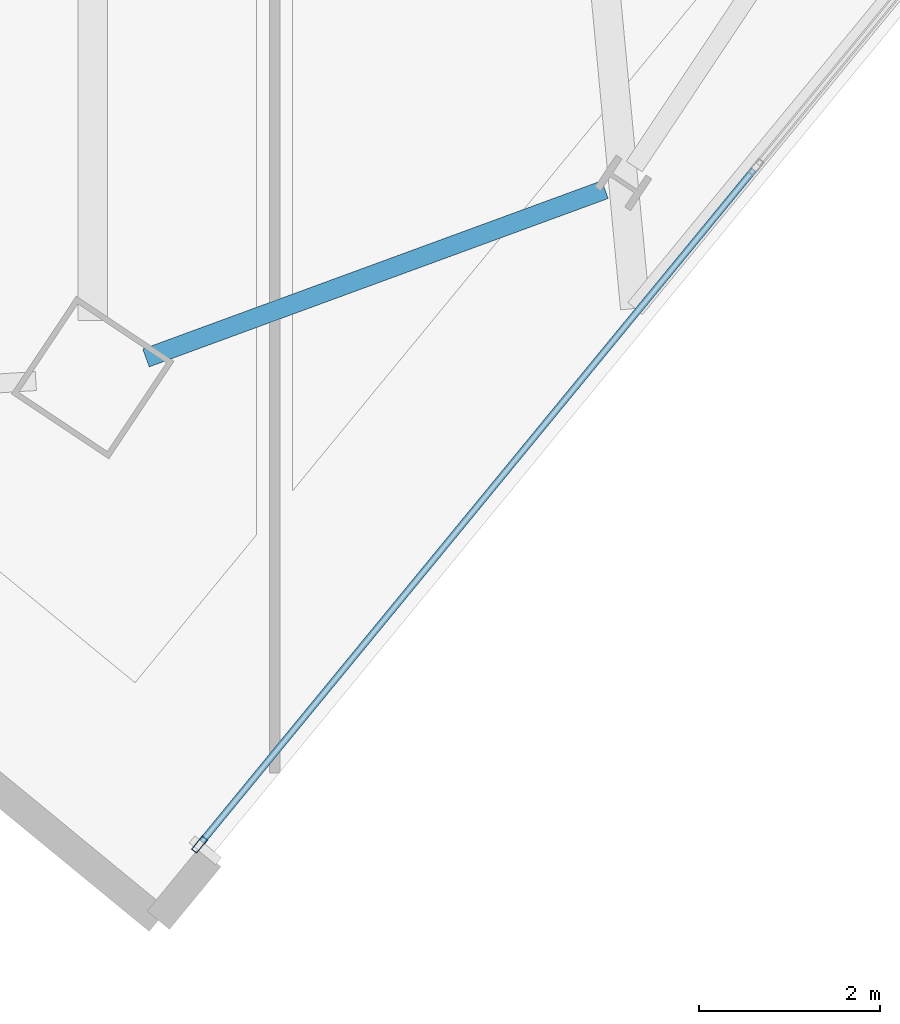
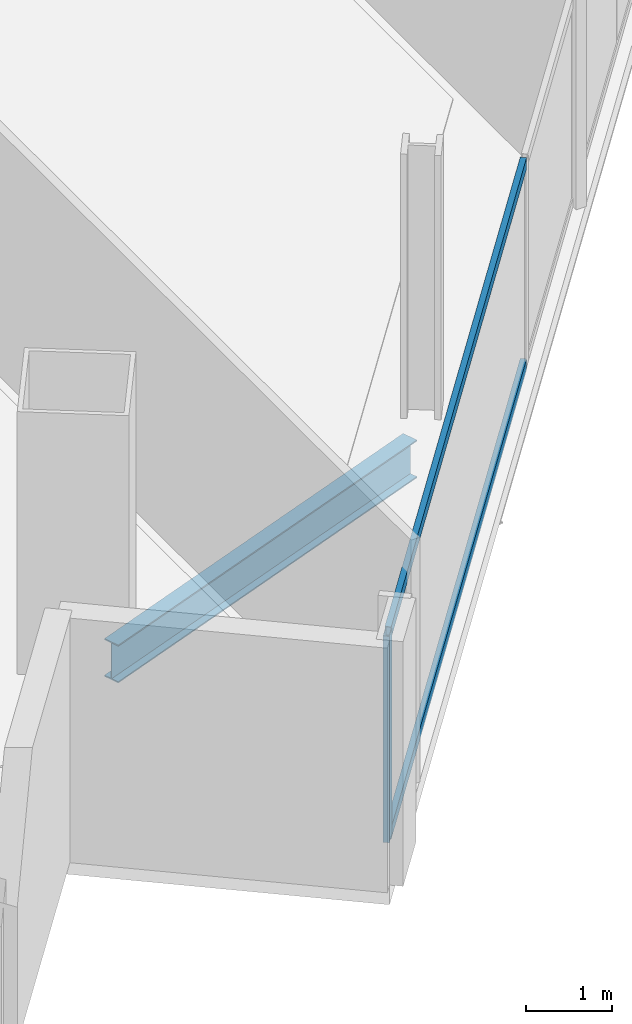
# One storey, part 8 of 28: 3 members, 1 beam, 1 element without a shape of its own.
"""IFC4 building model written with IfcOpenShell, lengths in metres."""

from ifc_helpers import new_model, si_unit, direction, frame, origin, origin_2d, place, context, subcontext, project, spatial, hollow_rectangle, i_section, extrude, material, material_profile, profile_set, type_object, element, aggregate, save


model = new_model("IFC4")

# Units and contexts
model_context = context("Model", 3, precision=1e-05, world=origin(), true_north=direction((0.0, 1.0)))
body_context = subcontext(model_context, "Body", "Model", "MODEL_VIEW")
ifc_project = project(units=[si_unit("LENGTHUNIT", "METRE"), si_unit("AREAUNIT", "SQUARE_METRE"), si_unit("VOLUMEUNIT", "CUBIC_METRE"), si_unit("PLANEANGLEUNIT", "RADIAN"), si_unit("MASSUNIT", "GRAM", prefix="KILO")], contexts=[model_context])

# Site, building, storey
site_placement = place(None, origin())
site = spatial("IfcSite", under=ifc_project, at=site_placement, CompositionType="ELEMENT")
building_placement = place(site_placement, origin())
building = spatial("IfcBuilding", under=site, at=building_placement, Name="Haldenkirk Collegiate Tower", CompositionType="ELEMENT")
storey_placement = place(building_placement, frame((0.0, 0.0, 198.449951171875)))
storey = spatial("IfcBuildingStorey", under=building, at=storey_placement, Name="L49", CompositionType="ELEMENT", Elevation=198.449951171875)

# Beam
ifc_material_1 = material(Name="Steel ASTM A992 Grade 50", Category="steel")
ifc_material_profile_1 = material_profile(ifc_material_1, i_section(OverallWidth=0.2099609375, OverallDepth=0.537109375, WebThickness=0.010986328125, FlangeThickness=0.017333984375, at=origin_2d()), Name="W21X68")
ifc_profile_set_1 = profile_set([ifc_material_profile_1], Name="Steel ASTM A992 Grade 50")
beam_type = type_object("IfcBeamType", Name="BM-SPANDREL-W21X68", PredefinedType="SPANDREL", material=ifc_profile_set_1)
beam_placement = place(storey_placement, frame((41.07421875, 1.5498046875, -0.54833984375), z_axis=(0.938836975249, 0.344361922843, 0.0), x_axis=(-0.344361922843, 0.938836975249, 0.0)))
element("IfcBeam", 1, at=beam_placement, inside=storey, type_object=beam_type, Name="L49 perimeter spandrel beam 01", PredefinedType="SPANDREL", context=body_context, shape_type="SweptSolid", body=[
    extrude(i_section(OverallWidth=0.2099609375, OverallDepth=0.537109375, WebThickness=0.010986328125, FlangeThickness=0.017333984375, at=origin_2d()), origin(), (0.0, 0.0, 1.0), 5.41650390625),
])

# Curtain wall, members
ifc_material_2 = material(Name="Anodised architectural bronze aluminium", Category="aluminium")
curtain_wall_type = type_object("IfcCurtainWallType", Name="CW-SYS2-CONCAVE", PredefinedType="USERDEFINED", material=ifc_material_2)
curtain_wall_placement = place(storey_placement, origin())
curtain_wall = element("IfcCurtainWall", 2, at=curtain_wall_placement, inside=storey, type_object=curtain_wall_type, Name="L49 South concave recessed bronze-anodised curtain wall", ObjectType="UNITISED CURTAIN WALL", PredefinedType="USERDEFINED")
ifc_material_profile_2 = material_profile(ifc_material_2, hollow_rectangle(XDim=0.074951171875, YDim=0.18994140625, WallThickness=0.0048828125, at=origin_2d()), Name="CW-MUL-02")
ifc_profile_set_2 = profile_set([ifc_material_profile_2], Name="Anodised architectural bronze aluminium")
member_type_1 = type_object("IfcMemberType", Name="CW-MUL-02", PredefinedType="MULLION", material=ifc_profile_set_2)
member_1_placement = place(storey_placement, frame((41.666748046875, -3.841064453125, 0.0), z_axis=(0.0, 0.0, 1.0), x_axis=(0.772733575768, -0.634730510437, 0.0)))
member_1 = element("IfcMember", 3, at=member_1_placement, type_object=member_type_1, Name="CW-02 mullion 5", PredefinedType="MULLION", context=body_context, shape_type="SweptSolid", body=[
    extrude(hollow_rectangle(XDim=0.074951171875, YDim=0.18994140625, WallThickness=0.0048828125, at=origin_2d()), origin(), (0.0, 0.0, 1.0), 2.927978515625),
])
ifc_material_profile_3 = material_profile(ifc_material_2, hollow_rectangle(XDim=0.074951171875, YDim=0.159912109375, WallThickness=0.0048828125, at=origin_2d()), Name="CW-TRN-02")
ifc_profile_set_3 = profile_set([ifc_material_profile_3], Name="Anodised architectural bronze aluminium")
member_type_2 = type_object("IfcMemberType", Name="CW-TRN-02", PredefinedType="USERDEFINED", material=ifc_profile_set_3)
member_2_placement = place(storey_placement, frame((47.8076171875, 3.635009765625, 0.03759765625), z_axis=(-0.634726458065, -0.772736904407, 0.0), x_axis=(0.772736904407, -0.634726458065, 0.0)))
member_2 = element("IfcMember", 4, at=member_2_placement, type_object=member_type_2, Name="CW-02 transom 4.1", ObjectType="TRANSOM", PredefinedType="USERDEFINED", context=body_context, shape_type="SweptSolid", body=[
    extrude(hollow_rectangle(XDim=0.074951171875, YDim=0.159912109375, WallThickness=0.0048828125, at=origin_2d()), origin(), (0.0, 0.0, 1.0), 9.637451171875),
])
member_3_placement = place(storey_placement, frame((47.8076171875, 3.635009765625, 2.890625), z_axis=(-0.634726458065, -0.772736904407, 0.0), x_axis=(0.772736904407, -0.634726458065, 0.0)))
member_3 = element("IfcMember", 5, at=member_3_placement, type_object=member_type_2, Name="CW-02 transom 4.2", ObjectType="TRANSOM", PredefinedType="USERDEFINED", context=body_context, shape_type="SweptSolid", body=[
    extrude(hollow_rectangle(XDim=0.074951171875, YDim=0.159912109375, WallThickness=0.0048828125, at=origin_2d()), origin(), (0.0, 0.0, 1.0), 9.637451171875),
])
aggregate(curtain_wall, [member_1, member_2, member_3])

save(model, "model.ifc")
